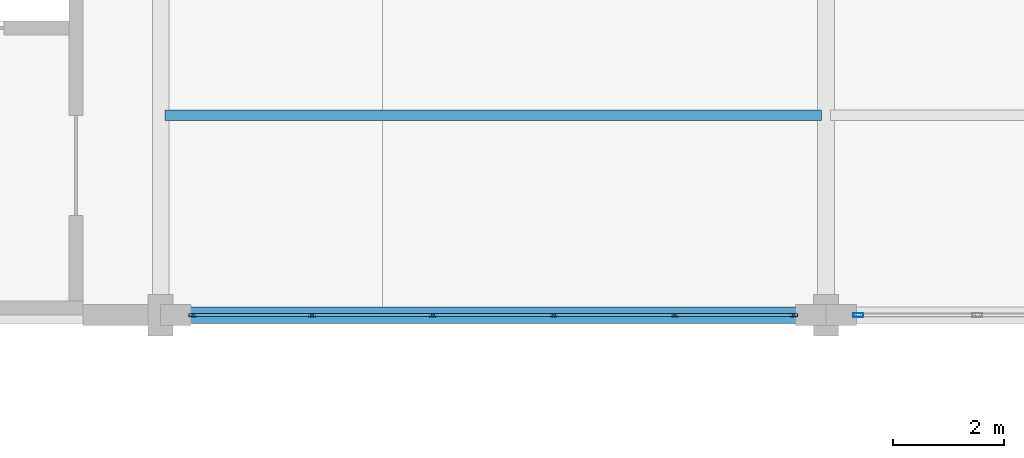
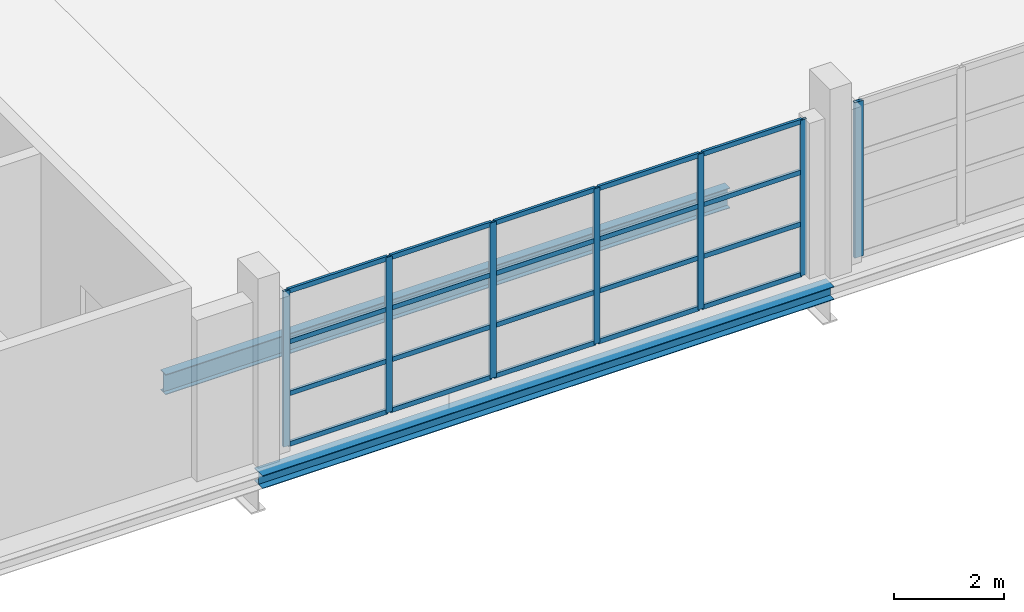
# One storey, part 97 of 147: 27 members, 2 beams, 2 elements without a shape of their own.
"""IFC4 building model written with IfcOpenShell, lengths in metres."""

from ifc_helpers import new_model, si_unit, direction, frame, origin, origin_2d, place, context, subcontext, project, spatial, hollow_rectangle, i_section, extrude, material, layer, layer_set, material_profile, profile_set, type_object, element, aggregate, save


model = new_model("IFC4")

# Units and contexts
model_context = context("Model", 3, precision=1e-05, world=origin(), true_north=direction((0.0, 1.0)))
body_context = subcontext(model_context, "Body", "Model", "MODEL_VIEW")
ifc_project = project(units=[si_unit("LENGTHUNIT", "METRE"), si_unit("AREAUNIT", "SQUARE_METRE"), si_unit("VOLUMEUNIT", "CUBIC_METRE"), si_unit("PLANEANGLEUNIT", "RADIAN"), si_unit("MASSUNIT", "GRAM", prefix="KILO")], contexts=[model_context])

# Site, building, storey
site_placement = place(None, origin())
site = spatial("IfcSite", under=ifc_project, at=site_placement, CompositionType="ELEMENT")
building_placement = place(site_placement, origin())
building = spatial("IfcBuilding", under=site, at=building_placement, Name="Zilviju Railside Exhibition Hall", CompositionType="ELEMENT")
storey_placement = place(building_placement, frame((0.0, 0.0, 8.39990234375)))
storey = spatial("IfcBuildingStorey", under=building, at=storey_placement, Name="L03", CompositionType="ELEMENT", Elevation=8.39990234375)

# Beams
ifc_material_1 = material(Name="Steel S355J2", Category="steel")
ifc_material_profile_1 = material_profile(ifc_material_1, i_section(OverallWidth=0.300048828125, OverallDepth=0.2900390625, WebThickness=0.008544921875, FlangeThickness=0.013916015625, at=origin_2d()), Name="HEA 300")
ifc_profile_set_1 = profile_set([ifc_material_profile_1], Name="Steel S355J2")
beam_type_1 = type_object("IfcBeamType", Name="BM-HEA300", PredefinedType="SPANDREL", material=ifc_profile_set_1)
beam_1_placement = place(storey_placement, frame((192.0, 84.0, -0.52490234375), z_axis=(1.0, 0.0, 0.0), x_axis=(0.0, 1.0, 0.0)))
element("IfcBeam", 1, at=beam_1_placement, inside=storey, type_object=beam_type_1, Name="Primary Girder L03 Y=84.0 (192.0..204.0)", PredefinedType="SPANDREL", context=body_context, shape_type="SweptSolid", body=[
    extrude(i_section(OverallWidth=0.300048828125, OverallDepth=0.2900390625, WebThickness=0.008544921875, FlangeThickness=0.013916015625, at=origin_2d()), origin(), (0.0, 0.0, 1.0), 12.0),
])
ifc_material_profile_2 = material_profile(ifc_material_1, i_section(OverallWidth=0.18994140625, OverallDepth=0.449951171875, WebThickness=0.009521484375, FlangeThickness=0.0146484375, at=origin_2d()), Name="IPE 450")
ifc_profile_set_2 = profile_set([ifc_material_profile_2], Name="Steel S355J2")
beam_type_2 = type_object("IfcBeamType", Name="BM-IPE450", PredefinedType="JOIST", material=ifc_profile_set_2)
beam_2_placement = place(storey_placement, frame((192.080078125, 87.60009765625, -0.60498046875), z_axis=(1.0, 0.0, 0.0), x_axis=(0.0, 1.0, 0.0)))
element("IfcBeam", 2, at=beam_2_placement, inside=storey, type_object=beam_type_2, Name="Composite Floor Joist L03 Y=87.60 (192.0..204.0)", PredefinedType="JOIST", context=body_context, shape_type="SweptSolid", body=[
    extrude(i_section(OverallWidth=0.18994140625, OverallDepth=0.449951171875, WebThickness=0.009521484375, FlangeThickness=0.0146484375, at=origin_2d()), origin(), (0.0, 0.0, 1.0), 11.83984375),
])

# Curtain wall, members
ifc_material_2 = material(Name="Thermally broken aluminium-steel triple-glazed curtain wall", Category="steel")
ifc_layer_1 = layer(ifc_material_2, 0.179931640625)
ifc_layer_set_1 = layer_set([ifc_layer_1], Name="Thermally broken aluminium-steel triple-glazed curtain wall")
curtain_wall_type_1 = type_object("IfcCurtainWallType", Name="CW-BAY-04", PredefinedType="USERDEFINED", material=ifc_layer_set_1)
curtain_wall_1_placement = place(storey_placement, origin())
curtain_wall_1 = element("IfcCurtainWall", 3, at=curtain_wall_1_placement, inside=storey, type_object=curtain_wall_type_1, Name="North Hall Garden Court Curtain Wall L03 (192..204)", ObjectType="GLAZED CURTAIN WALL", PredefinedType="USERDEFINED")
ifc_material_3 = material(Name="Thermally broken anodized aluminium mullion", Category="aluminium")
ifc_material_profile_3 = material_profile(ifc_material_3, hollow_rectangle(XDim=0.054931640625, YDim=0.1298828125, WallThickness=0.0048828125, at=origin_2d()), Name="MULLION 130x55x5")
ifc_profile_set_3 = profile_set([ifc_material_profile_3], Name="Thermally broken anodized aluminium mullion")
member_type_1 = type_object("IfcMemberType", Name="CWM-55x130", PredefinedType="MULLION", material=ifc_profile_set_3)
member_1_placement = place(storey_placement, frame((203.422607421875, 84.0, 0.0), z_axis=(0.0, 0.0, 1.0), x_axis=(0.0, -1.0, 0.0)))
member_1 = element("IfcMember", 4, at=member_1_placement, type_object=member_type_1, Name="CW-04 mullion 1", PredefinedType="MULLION", context=body_context, shape_type="SweptSolid", body=[
    extrude(hollow_rectangle(XDim=0.054931640625, YDim=0.1298828125, WallThickness=0.0048828125, at=origin_2d()), origin(), (0.0, 0.0, 1.0), 3.4501953125),
])
member_2_placement = place(storey_placement, frame((201.27001953125, 84.0, 0.0), z_axis=(0.0, 0.0, 1.0), x_axis=(0.0, -1.0, 0.0)))
member_2 = element("IfcMember", 5, at=member_2_placement, type_object=member_type_1, Name="CW-04 mullion 2", PredefinedType="MULLION", context=body_context, shape_type="SweptSolid", body=[
    extrude(hollow_rectangle(XDim=0.054931640625, YDim=0.1298828125, WallThickness=0.0048828125, at=origin_2d()), origin(), (0.0, 0.0, 1.0), 3.4501953125),
])
member_3_placement = place(storey_placement, frame((199.090087890625, 84.0, 0.0), z_axis=(0.0, 0.0, 1.0), x_axis=(0.0, -1.0, 0.0)))
member_3 = element("IfcMember", 6, at=member_3_placement, type_object=member_type_1, Name="CW-04 mullion 3", PredefinedType="MULLION", context=body_context, shape_type="SweptSolid", body=[
    extrude(hollow_rectangle(XDim=0.054931640625, YDim=0.1298828125, WallThickness=0.0048828125, at=origin_2d()), origin(), (0.0, 0.0, 1.0), 3.4501953125),
])
member_4_placement = place(storey_placement, frame((196.909912109375, 84.0, 0.0), z_axis=(0.0, 0.0, 1.0), x_axis=(0.0, -1.0, 0.0)))
member_4 = element("IfcMember", 7, at=member_4_placement, type_object=member_type_1, Name="CW-04 mullion 4", PredefinedType="MULLION", context=body_context, shape_type="SweptSolid", body=[
    extrude(hollow_rectangle(XDim=0.054931640625, YDim=0.1298828125, WallThickness=0.0048828125, at=origin_2d()), origin(), (0.0, 0.0, 1.0), 3.4501953125),
])
member_5_placement = place(storey_placement, frame((194.72998046875, 84.0, 0.0), z_axis=(0.0, 0.0, 1.0), x_axis=(0.0, -1.0, 0.0)))
member_5 = element("IfcMember", 8, at=member_5_placement, type_object=member_type_1, Name="CW-04 mullion 5", PredefinedType="MULLION", context=body_context, shape_type="SweptSolid", body=[
    extrude(hollow_rectangle(XDim=0.054931640625, YDim=0.1298828125, WallThickness=0.0048828125, at=origin_2d()), origin(), (0.0, 0.0, 1.0), 3.4501953125),
])
member_6_placement = place(storey_placement, frame((192.577392578125, 84.0, 0.0), z_axis=(0.0, 0.0, 1.0), x_axis=(0.0, -1.0, 0.0)))
member_6 = element("IfcMember", 9, at=member_6_placement, type_object=member_type_1, Name="CW-04 mullion 6", PredefinedType="MULLION", context=body_context, shape_type="SweptSolid", body=[
    extrude(hollow_rectangle(XDim=0.054931640625, YDim=0.1298828125, WallThickness=0.0048828125, at=origin_2d()), origin(), (0.0, 0.0, 1.0), 3.4501953125),
])

# Curtain wall, member
ifc_layer_2 = layer(ifc_material_2, 0.179931640625)
ifc_layer_set_2 = layer_set([ifc_layer_2], Name="Thermally broken aluminium-steel triple-glazed curtain wall")
curtain_wall_type_2 = type_object("IfcCurtainWallType", Name="CW-BAY-05", PredefinedType="USERDEFINED", material=ifc_layer_set_2)
curtain_wall_2_placement = place(storey_placement, origin())
curtain_wall_2 = element("IfcCurtainWall", 10, at=curtain_wall_2_placement, inside=storey, type_object=curtain_wall_type_2, Name="North Hall Garden Court Curtain Wall L03 (204..216)", ObjectType="GLAZED CURTAIN WALL", PredefinedType="USERDEFINED")
ifc_material_profile_4 = material_profile(ifc_material_3, hollow_rectangle(XDim=0.070068359375, YDim=0.179931640625, WallThickness=0.0048828125, at=origin_2d()), Name="MULLION 180x70x5")
ifc_profile_set_4 = profile_set([ifc_material_profile_4], Name="Thermally broken anodized aluminium mullion")
member_type_2 = type_object("IfcMemberType", Name="CWM-70x180", PredefinedType="MULLION", material=ifc_profile_set_4)
member_7_placement = place(storey_placement, frame((204.5849609375, 84.0, 0.0), z_axis=(0.0, 0.0, 1.0), x_axis=(0.0, -1.0, 0.0)))
member_7 = element("IfcMember", 11, at=member_7_placement, type_object=member_type_2, Name="CW-05 mullion 6", PredefinedType="MULLION", context=body_context, shape_type="SweptSolid", body=[
    extrude(hollow_rectangle(XDim=0.070068359375, YDim=0.179931640625, WallThickness=0.0048828125, at=origin_2d()), origin(), (0.0, 0.0, 1.0), 3.4501953125),
])
aggregate(curtain_wall_2, [member_7])

# Member
ifc_material_4 = material(Name="Thermally broken anodized aluminium transom", Category="aluminium")
ifc_material_profile_5 = material_profile(ifc_material_4, hollow_rectangle(XDim=0.054931640625, YDim=0.10498046875, WallThickness=0.0048828125, at=origin_2d()), Name="TRANSOM 105x55x5")
ifc_profile_set_5 = profile_set([ifc_material_profile_5], Name="Thermally broken anodized aluminium transom")
member_type_3 = type_object("IfcMemberType", Name="CWT-55x105", PredefinedType="USERDEFINED", material=ifc_profile_set_5)
member_8_placement = place(storey_placement, frame((203.39501953125, 84.0, 0.027587890625), z_axis=(-1.0, 0.0, 0.0), x_axis=(0.0, -1.0, 0.0)))
member_8 = element("IfcMember", 12, at=member_8_placement, type_object=member_type_3, Name="CW-04 transom 1.1", ObjectType="TRANSOM", PredefinedType="USERDEFINED", context=body_context, shape_type="SweptSolid", body=[
    extrude(hollow_rectangle(XDim=0.054931640625, YDim=0.10498046875, WallThickness=0.0048828125, at=origin_2d()), origin(), (0.0, 0.0, 1.0), 2.097412109375),
])

member_9_placement = place(storey_placement, frame((203.39501953125, 84.0, 1.150146484375), z_axis=(-1.0, 0.0, 0.0), x_axis=(0.0, -1.0, 0.0)))
member_9 = element("IfcMember", 13, at=member_9_placement, type_object=member_type_3, Name="CW-04 transom 1.2", ObjectType="TRANSOM", PredefinedType="USERDEFINED", context=body_context, shape_type="SweptSolid", body=[
    extrude(hollow_rectangle(XDim=0.054931640625, YDim=0.10498046875, WallThickness=0.0048828125, at=origin_2d()), origin(), (0.0, 0.0, 1.0), 2.097412109375),
])

member_10_placement = place(storey_placement, frame((203.39501953125, 84.0, 2.300048828125), z_axis=(-1.0, 0.0, 0.0), x_axis=(0.0, -1.0, 0.0)))
member_10 = element("IfcMember", 14, at=member_10_placement, type_object=member_type_3, Name="CW-04 transom 1.3", ObjectType="TRANSOM", PredefinedType="USERDEFINED", context=body_context, shape_type="SweptSolid", body=[
    extrude(hollow_rectangle(XDim=0.054931640625, YDim=0.10498046875, WallThickness=0.0048828125, at=origin_2d()), origin(), (0.0, 0.0, 1.0), 2.097412109375),
])

member_11_placement = place(storey_placement, frame((203.39501953125, 84.0, 3.422607421875), z_axis=(-1.0, 0.0, 0.0), x_axis=(0.0, -1.0, 0.0)))
member_11 = element("IfcMember", 15, at=member_11_placement, type_object=member_type_3, Name="CW-04 transom 1.4", ObjectType="TRANSOM", PredefinedType="USERDEFINED", context=body_context, shape_type="SweptSolid", body=[
    extrude(hollow_rectangle(XDim=0.054931640625, YDim=0.10498046875, WallThickness=0.0048828125, at=origin_2d()), origin(), (0.0, 0.0, 1.0), 2.097412109375),
])

member_12_placement = place(storey_placement, frame((201.242431640625, 84.0, 0.027587890625), z_axis=(-1.0, 0.0, 0.0), x_axis=(0.0, -1.0, 0.0)))
member_12 = element("IfcMember", 16, at=member_12_placement, type_object=member_type_3, Name="CW-04 transom 2.1", ObjectType="TRANSOM", PredefinedType="USERDEFINED", context=body_context, shape_type="SweptSolid", body=[
    extrude(hollow_rectangle(XDim=0.054931640625, YDim=0.10498046875, WallThickness=0.0048828125, at=origin_2d()), origin(), (0.0, 0.0, 1.0), 2.125),
])

member_13_placement = place(storey_placement, frame((201.242431640625, 84.0, 1.150146484375), z_axis=(-1.0, 0.0, 0.0), x_axis=(0.0, -1.0, 0.0)))
member_13 = element("IfcMember", 17, at=member_13_placement, type_object=member_type_3, Name="CW-04 transom 2.2", ObjectType="TRANSOM", PredefinedType="USERDEFINED", context=body_context, shape_type="SweptSolid", body=[
    extrude(hollow_rectangle(XDim=0.054931640625, YDim=0.10498046875, WallThickness=0.0048828125, at=origin_2d()), origin(), (0.0, 0.0, 1.0), 2.125),
])

member_14_placement = place(storey_placement, frame((201.242431640625, 84.0, 2.300048828125), z_axis=(-1.0, 0.0, 0.0), x_axis=(0.0, -1.0, 0.0)))
member_14 = element("IfcMember", 18, at=member_14_placement, type_object=member_type_3, Name="CW-04 transom 2.3", ObjectType="TRANSOM", PredefinedType="USERDEFINED", context=body_context, shape_type="SweptSolid", body=[
    extrude(hollow_rectangle(XDim=0.054931640625, YDim=0.10498046875, WallThickness=0.0048828125, at=origin_2d()), origin(), (0.0, 0.0, 1.0), 2.125),
])

member_15_placement = place(storey_placement, frame((201.242431640625, 84.0, 3.422607421875), z_axis=(-1.0, 0.0, 0.0), x_axis=(0.0, -1.0, 0.0)))
member_15 = element("IfcMember", 19, at=member_15_placement, type_object=member_type_3, Name="CW-04 transom 2.4", ObjectType="TRANSOM", PredefinedType="USERDEFINED", context=body_context, shape_type="SweptSolid", body=[
    extrude(hollow_rectangle(XDim=0.054931640625, YDim=0.10498046875, WallThickness=0.0048828125, at=origin_2d()), origin(), (0.0, 0.0, 1.0), 2.125),
])

member_16_placement = place(storey_placement, frame((199.0625, 84.0, 0.027587890625), z_axis=(-1.0, 0.0, 0.0), x_axis=(0.0, -1.0, 0.0)))
member_16 = element("IfcMember", 20, at=member_16_placement, type_object=member_type_3, Name="CW-04 transom 3.1", ObjectType="TRANSOM", PredefinedType="USERDEFINED", context=body_context, shape_type="SweptSolid", body=[
    extrude(hollow_rectangle(XDim=0.054931640625, YDim=0.10498046875, WallThickness=0.0048828125, at=origin_2d()), origin(), (0.0, 0.0, 1.0), 2.125),
])

member_17_placement = place(storey_placement, frame((199.0625, 84.0, 1.150146484375), z_axis=(-1.0, 0.0, 0.0), x_axis=(0.0, -1.0, 0.0)))
member_17 = element("IfcMember", 21, at=member_17_placement, type_object=member_type_3, Name="CW-04 transom 3.2", ObjectType="TRANSOM", PredefinedType="USERDEFINED", context=body_context, shape_type="SweptSolid", body=[
    extrude(hollow_rectangle(XDim=0.054931640625, YDim=0.10498046875, WallThickness=0.0048828125, at=origin_2d()), origin(), (0.0, 0.0, 1.0), 2.125),
])

member_18_placement = place(storey_placement, frame((199.0625, 84.0, 2.300048828125), z_axis=(-1.0, 0.0, 0.0), x_axis=(0.0, -1.0, 0.0)))
member_18 = element("IfcMember", 22, at=member_18_placement, type_object=member_type_3, Name="CW-04 transom 3.3", ObjectType="TRANSOM", PredefinedType="USERDEFINED", context=body_context, shape_type="SweptSolid", body=[
    extrude(hollow_rectangle(XDim=0.054931640625, YDim=0.10498046875, WallThickness=0.0048828125, at=origin_2d()), origin(), (0.0, 0.0, 1.0), 2.125),
])

member_19_placement = place(storey_placement, frame((199.0625, 84.0, 3.422607421875), z_axis=(-1.0, 0.0, 0.0), x_axis=(0.0, -1.0, 0.0)))
member_19 = element("IfcMember", 23, at=member_19_placement, type_object=member_type_3, Name="CW-04 transom 3.4", ObjectType="TRANSOM", PredefinedType="USERDEFINED", context=body_context, shape_type="SweptSolid", body=[
    extrude(hollow_rectangle(XDim=0.054931640625, YDim=0.10498046875, WallThickness=0.0048828125, at=origin_2d()), origin(), (0.0, 0.0, 1.0), 2.125),
])

member_20_placement = place(storey_placement, frame((196.882568359375, 84.0, 0.027587890625), z_axis=(-1.0, 0.0, 0.0), x_axis=(0.0, -1.0, 0.0)))
member_20 = element("IfcMember", 24, at=member_20_placement, type_object=member_type_3, Name="CW-04 transom 4.1", ObjectType="TRANSOM", PredefinedType="USERDEFINED", context=body_context, shape_type="SweptSolid", body=[
    extrude(hollow_rectangle(XDim=0.054931640625, YDim=0.10498046875, WallThickness=0.0048828125, at=origin_2d()), origin(), (0.0, 0.0, 1.0), 2.125),
])

member_21_placement = place(storey_placement, frame((196.882568359375, 84.0, 1.150146484375), z_axis=(-1.0, 0.0, 0.0), x_axis=(0.0, -1.0, 0.0)))
member_21 = element("IfcMember", 25, at=member_21_placement, type_object=member_type_3, Name="CW-04 transom 4.2", ObjectType="TRANSOM", PredefinedType="USERDEFINED", context=body_context, shape_type="SweptSolid", body=[
    extrude(hollow_rectangle(XDim=0.054931640625, YDim=0.10498046875, WallThickness=0.0048828125, at=origin_2d()), origin(), (0.0, 0.0, 1.0), 2.125),
])

member_22_placement = place(storey_placement, frame((196.882568359375, 84.0, 2.300048828125), z_axis=(-1.0, 0.0, 0.0), x_axis=(0.0, -1.0, 0.0)))
member_22 = element("IfcMember", 26, at=member_22_placement, type_object=member_type_3, Name="CW-04 transom 4.3", ObjectType="TRANSOM", PredefinedType="USERDEFINED", context=body_context, shape_type="SweptSolid", body=[
    extrude(hollow_rectangle(XDim=0.054931640625, YDim=0.10498046875, WallThickness=0.0048828125, at=origin_2d()), origin(), (0.0, 0.0, 1.0), 2.125),
])

member_23_placement = place(storey_placement, frame((196.882568359375, 84.0, 3.422607421875), z_axis=(-1.0, 0.0, 0.0), x_axis=(0.0, -1.0, 0.0)))
member_23 = element("IfcMember", 27, at=member_23_placement, type_object=member_type_3, Name="CW-04 transom 4.4", ObjectType="TRANSOM", PredefinedType="USERDEFINED", context=body_context, shape_type="SweptSolid", body=[
    extrude(hollow_rectangle(XDim=0.054931640625, YDim=0.10498046875, WallThickness=0.0048828125, at=origin_2d()), origin(), (0.0, 0.0, 1.0), 2.125),
])

member_24_placement = place(storey_placement, frame((194.702392578125, 84.0, 0.027587890625), z_axis=(-1.0, 0.0, 0.0), x_axis=(0.0, -1.0, 0.0)))
member_24 = element("IfcMember", 28, at=member_24_placement, type_object=member_type_3, Name="CW-04 transom 5.1", ObjectType="TRANSOM", PredefinedType="USERDEFINED", context=body_context, shape_type="SweptSolid", body=[
    extrude(hollow_rectangle(XDim=0.054931640625, YDim=0.10498046875, WallThickness=0.0048828125, at=origin_2d()), origin(), (0.0, 0.0, 1.0), 2.097412109375),
])

member_25_placement = place(storey_placement, frame((194.702392578125, 84.0, 1.150146484375), z_axis=(-1.0, 0.0, 0.0), x_axis=(0.0, -1.0, 0.0)))
member_25 = element("IfcMember", 29, at=member_25_placement, type_object=member_type_3, Name="CW-04 transom 5.2", ObjectType="TRANSOM", PredefinedType="USERDEFINED", context=body_context, shape_type="SweptSolid", body=[
    extrude(hollow_rectangle(XDim=0.054931640625, YDim=0.10498046875, WallThickness=0.0048828125, at=origin_2d()), origin(), (0.0, 0.0, 1.0), 2.097412109375),
])

member_26_placement = place(storey_placement, frame((194.702392578125, 84.0, 2.300048828125), z_axis=(-1.0, 0.0, 0.0), x_axis=(0.0, -1.0, 0.0)))
member_26 = element("IfcMember", 30, at=member_26_placement, type_object=member_type_3, Name="CW-04 transom 5.3", ObjectType="TRANSOM", PredefinedType="USERDEFINED", context=body_context, shape_type="SweptSolid", body=[
    extrude(hollow_rectangle(XDim=0.054931640625, YDim=0.10498046875, WallThickness=0.0048828125, at=origin_2d()), origin(), (0.0, 0.0, 1.0), 2.097412109375),
])

member_27_placement = place(storey_placement, frame((194.702392578125, 84.0, 3.422607421875), z_axis=(-1.0, 0.0, 0.0), x_axis=(0.0, -1.0, 0.0)))
member_27 = element("IfcMember", 31, at=member_27_placement, type_object=member_type_3, Name="CW-04 transom 5.4", ObjectType="TRANSOM", PredefinedType="USERDEFINED", context=body_context, shape_type="SweptSolid", body=[
    extrude(hollow_rectangle(XDim=0.054931640625, YDim=0.10498046875, WallThickness=0.0048828125, at=origin_2d()), origin(), (0.0, 0.0, 1.0), 2.097412109375),
])

aggregate(curtain_wall_1, [member_1, member_2, member_3, member_4, member_5, member_6, member_8, member_9, member_10, member_11, member_12, member_13, member_14, member_15, member_16, member_17, member_18, member_19, member_20, member_21, member_22, member_23, member_24, member_25, member_26, member_27])

save(model, "model.ifc")
